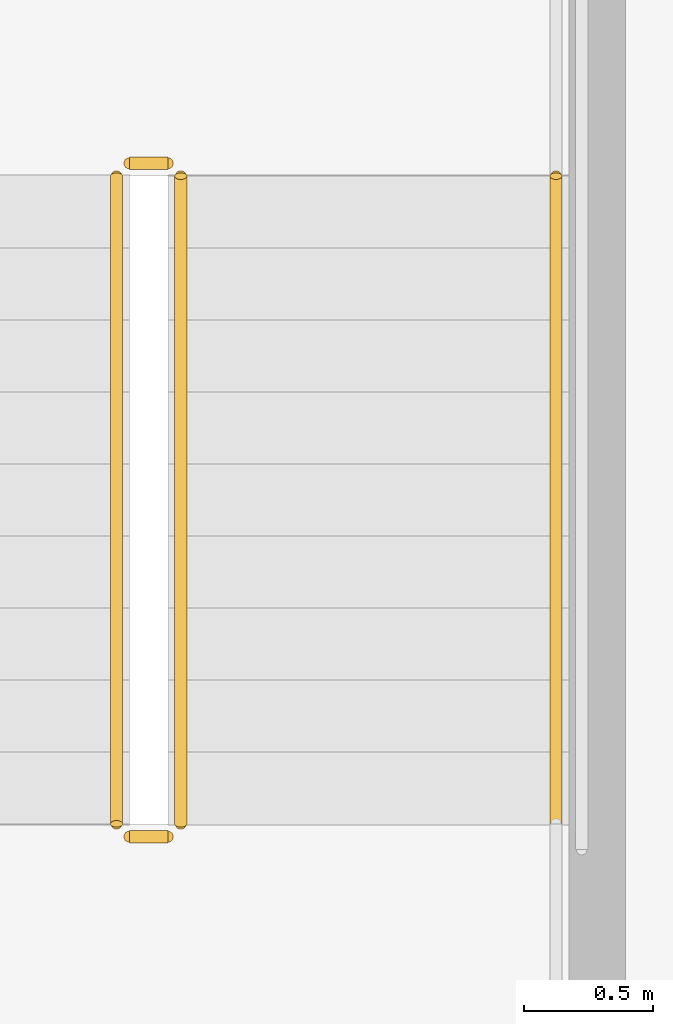
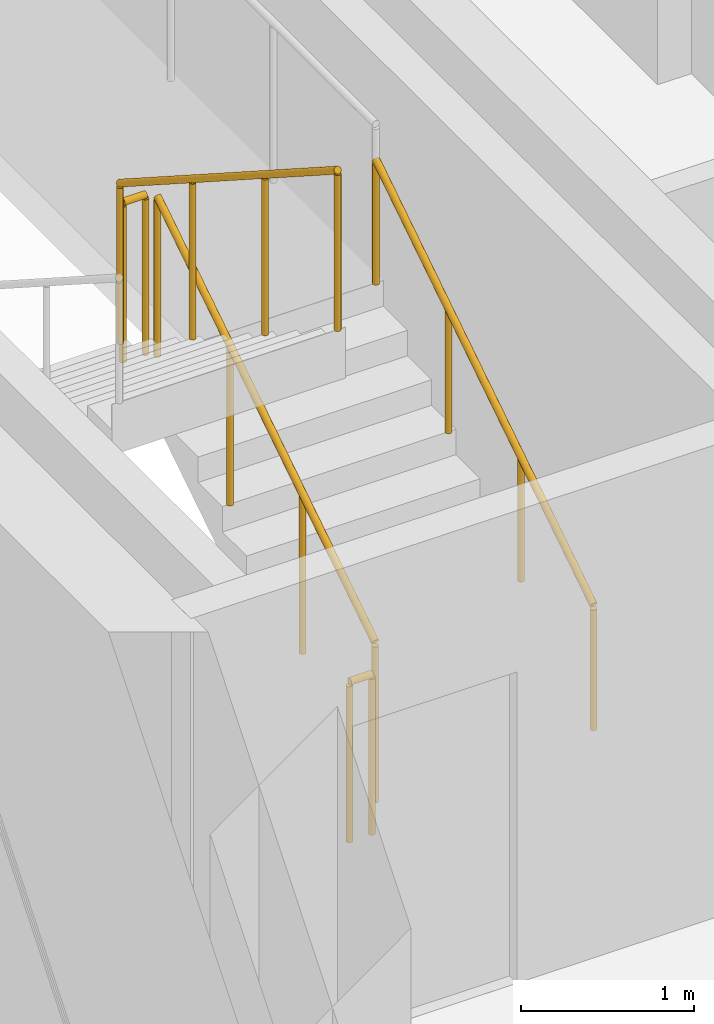
# One storey, part 13 of 15: 5 railings.
"""IFC4 building model written with IfcOpenShell, lengths in metres."""

from ifc_helpers import new_model, si_unit, direction, frame, origin, origin_2d, place, context, subcontext, project, spatial, circle, extrude, material, type_object, element, save


model = new_model("IFC4")

# Units and contexts
model_context = context("Model", 3, precision=1e-05, world=origin(), true_north=direction((0.0, 1.0)))
body_context = subcontext(model_context, "Body", "Model", "MODEL_VIEW")
ifc_project = project(units=[si_unit("LENGTHUNIT", "METRE"), si_unit("AREAUNIT", "SQUARE_METRE"), si_unit("VOLUMEUNIT", "CUBIC_METRE"), si_unit("PLANEANGLEUNIT", "RADIAN"), si_unit("MASSUNIT", "GRAM", prefix="KILO")], contexts=[model_context])

# Site, building, storey
site_placement = place(None, origin())
site = spatial("IfcSite", under=ifc_project, at=site_placement, CompositionType="ELEMENT")
building_placement = place(site_placement, origin())
building = spatial("IfcBuilding", under=site, at=building_placement, Name="Khairoan Windgate Tower", CompositionType="ELEMENT")
storey_placement = place(building_placement, frame((0.0, 0.0, 265.60009765625)))
storey = spatial("IfcBuildingStorey", under=building, at=storey_placement, Name="L63", CompositionType="ELEMENT", Elevation=265.60009765625)

# Railings
ifc_material_1 = material(Name="Anodised Bronze Aluminium 6063-T6", Category="aluminium")
railing_type_1 = type_object("IfcRailingType", Name="Stair Wall Handrail SHR-900", PredefinedType="HANDRAIL", material=ifc_material_1)
railing_1_placement = place(storey_placement, frame((-16.199951171875, 2.9599609375, 0.179931640625)))
element("IfcRailing", 1, at=railing_1_placement, inside=storey, type_object=railing_type_1, Name="L63 ST2 stair handrail 1", PredefinedType="HANDRAIL", context=body_context, shape_type="SweptSolid", body=[
    extrude(circle(Radius=0.02392578125, at=origin_2d()), frame((0.0, 0.0, 0.8759765625), z_axis=(0.0, 0.841199657755, 0.540724639528), x_axis=(-1.0, 0.0, 0.0)), (0.0, 0.0, 1.0), 2.995849609375),
    extrude(circle(Radius=0.02099609375, at=origin_2d()), origin(), (0.0, 0.0, 1.0), 0.851806640625),
    extrude(circle(Radius=0.02099609375, at=origin_2d()), frame((0.0, 0.840087890625, 0.5400390625)), (0.0, 0.0, 1.0), 0.851806640625),
    extrude(circle(Radius=0.02099609375, at=origin_2d()), frame((0.0, 1.679931640625, 1.079833984375)), (0.0, 0.0, 1.0), 0.851806640625),
    extrude(circle(Radius=0.02099609375, at=origin_2d()), frame((0.0, 2.52001953125, 1.619873046875)), (0.0, 0.0, 1.0), 0.851806640625),
])
ifc_material_2 = material(Name="Steel S355", Category="steel")
railing_type_2 = type_object("IfcRailingType", Name="Stairwell Safety Guardrail SGR-1150", PredefinedType="GUARDRAIL", material=ifc_material_2)
railing_2_placement = place(storey_placement, frame((-17.659912109375, 2.9599609375, 0.179931640625)))
element("IfcRailing", 2, at=railing_2_placement, inside=storey, type_object=railing_type_2, Name="L63 ST2 stair guard 1", PredefinedType="GUARDRAIL", context=body_context, shape_type="SweptSolid", body=[
    extrude(circle(Radius=0.02392578125, at=origin_2d()), frame((0.0, 0.0, 1.1259765625), z_axis=(0.0, 0.841199657755, 0.540724639528), x_axis=(-1.0, 0.0, 0.0)), (0.0, 0.0, 1.0), 2.995849609375),
    extrude(circle(Radius=0.02099609375, at=origin_2d()), origin(), (0.0, 0.0, 1.0), 1.101806640625),
    extrude(circle(Radius=0.02099609375, at=origin_2d()), frame((0.0, 0.840087890625, 0.5400390625)), (0.0, 0.0, 1.0), 1.101806640625),
    extrude(circle(Radius=0.02099609375, at=origin_2d()), frame((0.0, 1.679931640625, 1.079833984375)), (0.0, 0.0, 1.0), 1.101806640625),
    extrude(circle(Radius=0.02099609375, at=origin_2d()), frame((0.0, 2.52001953125, 1.619873046875)), (0.0, 0.0, 1.0), 1.101806640625),
])
railing_3_placement = place(storey_placement, frame((-17.7099609375, 5.530029296875, 1.7998046875)))
element("IfcRailing", 3, at=railing_3_placement, inside=storey, type_object=railing_type_2, Name="L63 ST2 stair guard 2", PredefinedType="GUARDRAIL", context=body_context, shape_type="SweptSolid", body=[
    extrude(circle(Radius=0.02392578125, at=origin_2d()), frame((0.0, 0.0, 1.1259765625), z_axis=(-1.0, 0.0, 0.0), x_axis=(0.0, -1.0, 0.0)), (0.0, 0.0, 1.0), 0.150146484375),
    extrude(circle(Radius=0.02099609375, at=origin_2d()), origin(), (0.0, 0.0, 1.0), 1.101806640625),
    extrude(circle(Radius=0.02099609375, at=origin_2d()), frame((-0.150146484375, 0.0, 0.0)), (0.0, 0.0, 1.0), 1.101806640625),
])
railing_4_placement = place(storey_placement, frame((-17.909912109375, 5.47998046875, 1.97998046875)))
element("IfcRailing", 4, at=railing_4_placement, inside=storey, type_object=railing_type_2, Name="L63 ST2 stair guard 6", PredefinedType="GUARDRAIL", context=body_context, shape_type="SweptSolid", body=[
    extrude(circle(Radius=0.02392578125, at=origin_2d()), frame((0.0, 0.0, 1.1259765625), z_axis=(0.0, -0.841199657755, 0.540724639528), x_axis=(1.0, 0.0, 0.0)), (0.0, 0.0, 1.0), 2.995849609375),
    extrude(circle(Radius=0.02099609375, at=origin_2d()), origin(), (0.0, 0.0, 1.0), 1.101806640625),
    extrude(circle(Radius=0.02099609375, at=origin_2d()), frame((0.0, -0.840087890625, 0.5400390625)), (0.0, 0.0, 1.0), 1.101806640625),
    extrude(circle(Radius=0.02099609375, at=origin_2d()), frame((0.0, -1.679931640625, 1.079833984375)), (0.0, 0.0, 1.0), 1.101806640625),
    extrude(circle(Radius=0.02099609375, at=origin_2d()), frame((0.0, -2.52001953125, 1.619873046875)), (0.0, 0.0, 1.0), 1.101806640625),
])
railing_5_placement = place(storey_placement, frame((-17.7099609375, 2.909912109375, 0.0)))
element("IfcRailing", 5, at=railing_5_placement, inside=storey, type_object=railing_type_2, Name="L63 ST2 stair guard 7", PredefinedType="GUARDRAIL", context=body_context, shape_type="SweptSolid", body=[
    extrude(circle(Radius=0.02392578125, at=origin_2d()), frame((0.0, 0.0, 1.1259765625), z_axis=(-1.0, 0.0, 0.0), x_axis=(0.0, -1.0, 0.0)), (0.0, 0.0, 1.0), 0.150146484375),
    extrude(circle(Radius=0.02099609375, at=origin_2d()), origin(), (0.0, 0.0, 1.0), 1.101806640625),
    extrude(circle(Radius=0.02099609375, at=origin_2d()), frame((-0.150146484375, 0.0, 0.0)), (0.0, 0.0, 1.0), 1.101806640625),
])

save(model, "model.ifc")
